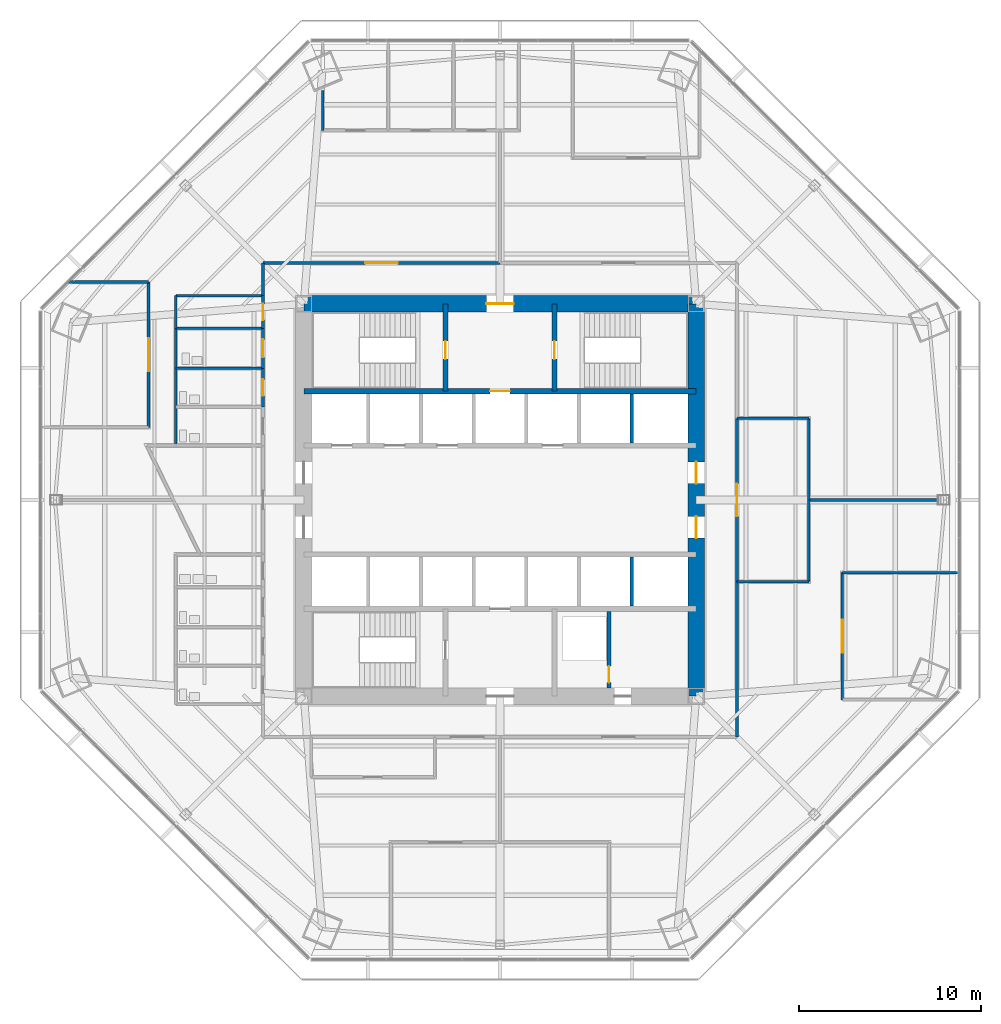
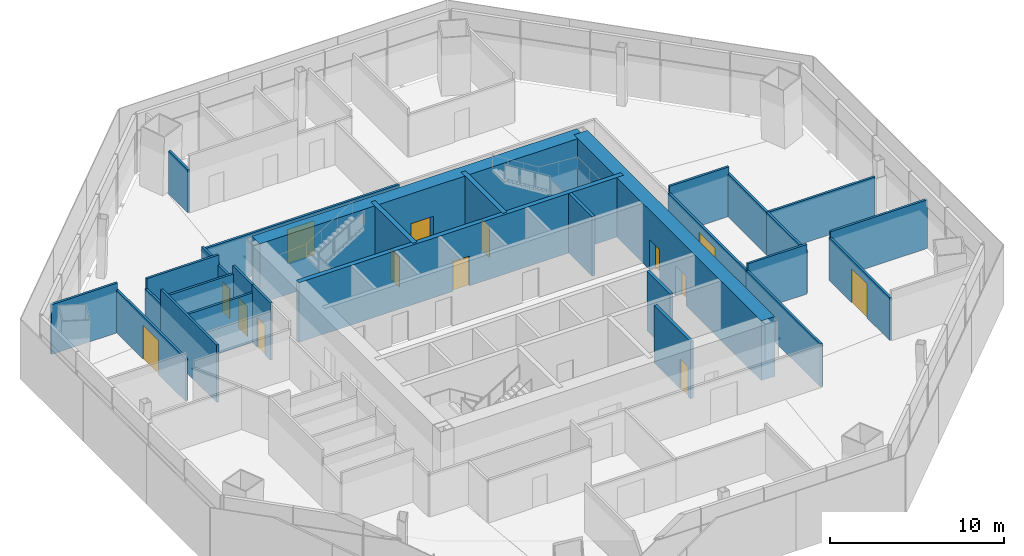
# One storey, part 11 of 16: 30 walls, 14 doors, 14 openings.
"""IFC4 building model written with IfcOpenShell, lengths in metres."""

from ifc_helpers import new_model, si_unit, direction, frame, frame_2d, origin, place, context, subcontext, project, spatial, rectangle, extrude, material, layer, layer_set, type_object, element, fill, save


model = new_model("IFC4")

# Units and contexts
model_context = context("Model", 3, precision=1e-05, world=origin(), true_north=direction((0.0, 1.0)))
body_context = subcontext(model_context, "Body", "Model", "MODEL_VIEW")
ifc_project = project(units=[si_unit("LENGTHUNIT", "METRE"), si_unit("AREAUNIT", "SQUARE_METRE"), si_unit("VOLUMEUNIT", "CUBIC_METRE"), si_unit("PLANEANGLEUNIT", "RADIAN"), si_unit("MASSUNIT", "GRAM", prefix="KILO")], contexts=[model_context])

# Site, building, storey
site_placement = place(None, origin())
site = spatial("IfcSite", under=ifc_project, at=site_placement, CompositionType="ELEMENT")
building_placement = place(site_placement, origin())
building = spatial("IfcBuilding", under=site, at=building_placement, Name="Mashrafa Tower", CompositionType="ELEMENT")
storey_placement = place(building_placement, frame((0.0, 0.0, 96.0)))
storey = spatial("IfcBuildingStorey", under=building, at=storey_placement, Name="L21", CompositionType="ELEMENT", Elevation=96.0)

# Wall, opening, door
ifc_material_1 = material(Name="Concrete masonry unit", Category="masonry")
ifc_layer_1 = layer(ifc_material_1, 0.199951171875)
ifc_layer_set_1 = layer_set([ifc_layer_1], Name="Blockwork wall 200 2 hr")
wall_type_1 = type_object("IfcWallType", Name="Blockwork wall 200 2 hr", PredefinedType="PARTITIONING", material=ifc_layer_set_1)
wall_1_placement = place(storey_placement, frame((6.0, -10.35009765625, 0.0), z_axis=(0.0, 0.0, 1.0), x_axis=(0.0, 1.0, 0.0)))
wall_1 = element("IfcWall", 1, at=wall_1_placement, inside=storey, type_object=wall_type_1, Name="Riser enclosure wall L21", PredefinedType="PARTITIONING", context=body_context, shape_type="SweptSolid", body=[
    extrude(rectangle(XDim=4.2001953125, YDim=0.199951171875, at=frame_2d((2.10009765625, 0.0))), origin(), (0.0, 0.0, 1.0), 4.034912109375),
])
opening_1_placement = place(wall_1_placement, frame((0.300048828125, 0.0, 0.0)))
opening_1 = element("IfcOpeningElement", 2, at=opening_1_placement, cuts=wall_1, Name="Opening 21.033", PredefinedType="OPENING", context=body_context, shape_type="SweptSolid", body=[
    extrude(rectangle(XDim=0.89990234375, YDim=2.10009765625, at=frame_2d((0.449951171875, 1.050048828125))), frame((0.0, 0.10986328125, 0.0), z_axis=(0.0, -1.0, 0.0), x_axis=(1.0, 0.0, 0.0)), (0.0, 0.0, 1.0), 0.219970703125),
])
ifc_material_2 = material(Name="Steel door", Category="steel")
door_type_1 = type_object("IfcDoorType", Name="Service door 900 x 2100 90 min", OperationType="USERDEFINED", PredefinedType="DOOR", material=ifc_material_2)
door_1_placement = place(opening_1_placement, origin())
door_1 = element("IfcDoor", 3, at=door_1_placement, inside=storey, type_object=door_type_1, Name="Riser door L21", OperationType="SINGLE_SWING_LEFT", OverallHeight=2.10009765625, OverallWidth=0.89990234375, PredefinedType="DOOR", context=body_context, shape_type="SweptSolid", body=[
    extrude(rectangle(XDim=0.89990234375, YDim=2.10009765625, at=frame_2d((0.449951171875, 1.050048828125))), frame((0.0, 0.02490234375, 0.0), z_axis=(0.0, -1.0, 0.0), x_axis=(1.0, 0.0, 0.0)), (0.0, 0.0, 1.0), 0.050048828125),
])
fill(opening_1, door_1)

ifc_material_3 = material(Name="Concrete C60/75", Category="concrete")
ifc_layer_2 = layer(ifc_material_3, 0.300048828125)
ifc_layer_set_2 = layer_set([ifc_layer_2], Name="Core wall 300 C60/75")
wall_type_2 = type_object("IfcWallType", Name="Core wall 300 C60/75", PredefinedType="SOLIDWALL", material=ifc_layer_set_2)
wall_2_placement = place(storey_placement, frame((-10.800048828125, 6.0, 0.0), z_axis=(0.0, 0.0, 1.0), x_axis=(1.0, 0.0, 0.0)))
wall_2 = element("IfcWall", 4, at=wall_2_placement, inside=storey, type_object=wall_type_2, Name="Core wall CB-N L21", PredefinedType="SOLIDWALL", context=body_context, shape_type="SweptSolid", body=[
    extrude(rectangle(XDim=21.60009765625, YDim=0.300048828125, at=frame_2d((10.800048828125, 0.0))), origin(), (0.0, 0.0, 1.0), 4.199951171875),
])
opening_2_placement = place(wall_2_placement, frame((10.25, 0.0, 0.0)))
opening_2 = element("IfcOpeningElement", 5, at=opening_2_placement, cuts=wall_2, Name="Opening 21.F1", PredefinedType="OPENING", context=body_context, shape_type="SweptSolid", body=[
    extrude(rectangle(XDim=1.10009765625, YDim=2.10009765625, at=frame_2d((0.550048828125, 1.050048828125))), frame((0.0, 0.159912109375, 0.0), z_axis=(0.0, -1.0, 0.0), x_axis=(1.0, 0.0, 0.0)), (0.0, 0.0, 1.0), 0.320068359375),
])
ifc_material_4 = material(Name="Steel door", Category="steel")
door_type_2 = type_object("IfcDoorType", Name="Lift landing door 1100 x 2100 90 min", OperationType="DOUBLE_DOOR_SLIDING", PredefinedType="DOOR", material=ifc_material_4)
door_2_placement = place(opening_2_placement, origin())
door_2 = element("IfcDoor", 6, at=door_2_placement, inside=storey, type_object=door_type_2, Name="Lift landing door F1 L21", OperationType="DOUBLE_DOOR_SLIDING", OverallHeight=2.10009765625, OverallWidth=1.10009765625, PredefinedType="DOOR", context=body_context, shape_type="SweptSolid", body=[
    extrude(rectangle(XDim=1.10009765625, YDim=2.10009765625, at=frame_2d((0.550048828125, 1.050048828125))), frame((0.0, 0.02490234375, 0.0), z_axis=(0.0, -1.0, 0.0), x_axis=(1.0, 0.0, 0.0)), (0.0, 0.0, 1.0), 0.050048828125),
])
fill(opening_2, door_2)

wall_3_placement = place(storey_placement, frame((-3.0, 6.0, 0.0), z_axis=(0.0, 0.0, 1.0), x_axis=(0.0, 1.0, 0.0)))
wall_3 = element("IfcWall", 7, at=wall_3_placement, inside=storey, type_object=wall_type_2, Name="Core wall CX-NW L21", PredefinedType="SOLIDWALL", context=body_context, shape_type="SweptSolid", body=[
    extrude(rectangle(XDim=4.800048828125, YDim=0.300048828125, at=frame_2d((2.39990234375, 0.0))), origin(), (0.0, 0.0, 1.0), 4.199951171875),
])
opening_3_placement = place(wall_3_placement, frame((1.75, 0.0, 0.0)))
opening_3 = element("IfcOpeningElement", 8, at=opening_3_placement, cuts=wall_3, Name="Opening 21.029", PredefinedType="OPENING", context=body_context, shape_type="SweptSolid", body=[
    extrude(rectangle(XDim=1.0, YDim=2.10009765625, at=frame_2d((0.5, 1.050048828125))), frame((0.0, 0.159912109375, 0.0), z_axis=(0.0, -1.0, 0.0), x_axis=(1.0, 0.0, 0.0)), (0.0, 0.0, 1.0), 0.320068359375),
])
ifc_material_5 = material(Name="Steel door", Category="steel")
door_type_3 = type_object("IfcDoorType", Name="Stair door 1000 x 2100 90 min", OperationType="USERDEFINED", PredefinedType="DOOR", material=ifc_material_5)
door_3_placement = place(opening_3_placement, origin())
door_3 = element("IfcDoor", 9, at=door_3_placement, inside=storey, type_object=door_type_3, Name="Stair S1 door L21", OperationType="SINGLE_SWING_LEFT", OverallHeight=2.10009765625, OverallWidth=1.0, PredefinedType="DOOR", context=body_context, shape_type="SweptSolid", body=[
    extrude(rectangle(XDim=1.0, YDim=2.10009765625, at=frame_2d((0.5, 1.050048828125))), frame((0.0, 0.02490234375, 0.0), z_axis=(0.0, -1.0, 0.0), x_axis=(1.0, 0.0, 0.0)), (0.0, 0.0, 1.0), 0.050048828125),
])
fill(opening_3, door_3)

wall_4_placement = place(storey_placement, frame((3.0, 6.0, 0.0), z_axis=(0.0, 0.0, 1.0), x_axis=(0.0, 1.0, 0.0)))
wall_4 = element("IfcWall", 10, at=wall_4_placement, inside=storey, type_object=wall_type_2, Name="Core wall CX-NE L21", PredefinedType="SOLIDWALL", context=body_context, shape_type="SweptSolid", body=[
    extrude(rectangle(XDim=4.800048828125, YDim=0.300048828125, at=frame_2d((2.39990234375, 0.0))), origin(), (0.0, 0.0, 1.0), 4.199951171875),
])
opening_4_placement = place(wall_4_placement, frame((1.75, 0.0, 0.0)))
opening_4 = element("IfcOpeningElement", 11, at=opening_4_placement, cuts=wall_4, Name="Opening 21.030", PredefinedType="OPENING", context=body_context, shape_type="SweptSolid", body=[
    extrude(rectangle(XDim=1.0, YDim=2.10009765625, at=frame_2d((0.5, 1.050048828125))), frame((0.0, 0.159912109375, 0.0), z_axis=(0.0, -1.0, 0.0), x_axis=(1.0, 0.0, 0.0)), (0.0, 0.0, 1.0), 0.320068359375),
])
door_4_placement = place(opening_4_placement, frame((1.0, 0.0, 0.0), z_axis=(0.0, 0.0, 1.0), x_axis=(-1.0, 0.0, 0.0)))
door_4 = element("IfcDoor", 12, at=door_4_placement, inside=storey, type_object=door_type_3, Name="Stair S2 door L21", OperationType="SINGLE_SWING_RIGHT", OverallHeight=2.10009765625, OverallWidth=1.0, PredefinedType="DOOR", context=body_context, shape_type="SweptSolid", body=[
    extrude(rectangle(XDim=1.0, YDim=2.10009765625, at=frame_2d((0.5, 1.050048828125))), frame((0.0, 0.02490234375, 0.0), z_axis=(0.0, -1.0, 0.0), x_axis=(1.0, 0.0, 0.0)), (0.0, 0.0, 1.0), 0.050048828125),
])
fill(opening_4, door_4)

# Wall, openings, doors
ifc_material_6 = material(Name="Concrete C60/75", Category="concrete")
ifc_layer_3 = layer(ifc_material_6, 0.89990234375)
ifc_layer_set_3 = layer_set([ifc_layer_3], Name="Core wall 900 C60/75")
wall_type_3 = type_object("IfcWallType", Name="Core wall 900 C60/75", PredefinedType="SOLIDWALL", material=ifc_layer_set_3)
wall_5_placement = place(storey_placement, frame((10.800048828125, -10.800048828125, 0.0), z_axis=(0.0, 0.0, 1.0), x_axis=(0.0, 1.0, 0.0)))
wall_5 = element("IfcWall", 13, at=wall_5_placement, inside=storey, type_object=wall_type_3, Name="Core wall CW-E L21", PredefinedType="SOLIDWALL", context=body_context, shape_type="SweptSolid", body=[
    extrude(rectangle(XDim=21.60009765625, YDim=0.89990234375, at=frame_2d((10.800048828125, 0.0))), origin(), (0.0, 0.0, 1.0), 4.199951171875),
])
opening_5_placement = place(wall_5_placement, frame((11.699951171875, 0.0, 0.0)))
opening_5 = element("IfcOpeningElement", 14, at=opening_5_placement, cuts=wall_5, Name="Opening 21.023", PredefinedType="OPENING", context=body_context, shape_type="SweptSolid", body=[
    extrude(rectangle(XDim=1.199951171875, YDim=2.10009765625, at=frame_2d((0.60009765625, 1.050048828125))), frame((0.0, 0.4599609375, 0.0), z_axis=(0.0, -1.0, 0.0), x_axis=(1.0, 0.0, 0.0)), (0.0, 0.0, 1.0), 0.919921875),
])
opening_6_placement = place(wall_5_placement, frame((8.699951171875, 0.0, 0.0)))
opening_6 = element("IfcOpeningElement", 15, at=opening_6_placement, cuts=wall_5, Name="Opening 21.025", PredefinedType="OPENING", context=body_context, shape_type="SweptSolid", body=[
    extrude(rectangle(XDim=1.199951171875, YDim=2.10009765625, at=frame_2d((0.60009765625, 1.050048828125))), frame((0.0, 0.4599609375, 0.0), z_axis=(0.0, -1.0, 0.0), x_axis=(1.0, 0.0, 0.0)), (0.0, 0.0, 1.0), 0.919921875),
])
ifc_material_7 = material(Name="Steel door", Category="steel")
door_type_4 = type_object("IfcDoorType", Name="Lift hall door 1200 x 2100 90 min", OperationType="USERDEFINED", PredefinedType="DOOR", material=ifc_material_7)
door_5_placement = place(opening_5_placement, frame((1.199951171875, 0.0, 0.0), z_axis=(0.0, 0.0, 1.0), x_axis=(-1.0, 0.0, 0.0)))
door_5 = element("IfcDoor", 16, at=door_5_placement, inside=storey, type_object=door_type_4, Name="Lift hall door east L21", OperationType="SINGLE_SWING_LEFT", OverallHeight=2.10009765625, OverallWidth=1.199951171875, PredefinedType="DOOR", context=body_context, shape_type="SweptSolid", body=[
    extrude(rectangle(XDim=1.199951171875, YDim=2.10009765625, at=frame_2d((0.60009765625, 1.050048828125))), frame((0.0, 0.02490234375, 0.0), z_axis=(0.0, -1.0, 0.0), x_axis=(1.0, 0.0, 0.0)), (0.0, 0.0, 1.0), 0.050048828125),
])
fill(opening_5, door_5)
door_6_placement = place(opening_6_placement, frame((1.199951171875, 0.0, 0.0), z_axis=(0.0, 0.0, 1.0), x_axis=(-1.0, 0.0, 0.0)))
door_6 = element("IfcDoor", 17, at=door_6_placement, inside=storey, type_object=door_type_4, Name="Lift hall door east L21", OperationType="SINGLE_SWING_RIGHT", OverallHeight=2.10009765625, OverallWidth=1.199951171875, PredefinedType="DOOR", context=body_context, shape_type="SweptSolid", body=[
    extrude(rectangle(XDim=1.199951171875, YDim=2.10009765625, at=frame_2d((0.60009765625, 1.050048828125))), frame((0.0, 0.02490234375, 0.0), z_axis=(0.0, -1.0, 0.0), x_axis=(1.0, 0.0, 0.0)), (0.0, 0.0, 1.0), 0.050048828125),
])
fill(opening_6, door_6)

# Wall, opening, door
wall_6_placement = place(storey_placement, frame((10.800048828125, 10.800048828125, 0.0), z_axis=(0.0, 0.0, 1.0), x_axis=(-1.0, 0.0, 0.0)))
wall_6 = element("IfcWall", 18, at=wall_6_placement, inside=storey, type_object=wall_type_3, Name="Core wall CW-N L21", PredefinedType="SOLIDWALL", context=body_context, shape_type="SweptSolid", body=[
    extrude(rectangle(XDim=21.60009765625, YDim=0.89990234375, at=frame_2d((10.800048828125, 0.0))), origin(), (0.0, 0.0, 1.0), 4.199951171875),
])
opening_7_placement = place(wall_6_placement, frame((10.050048828125, 0.0, 0.0)))
opening_7 = element("IfcOpeningElement", 19, at=opening_7_placement, cuts=wall_6, Name="Opening 21.027", PredefinedType="OPENING", context=body_context, shape_type="SweptSolid", body=[
    extrude(rectangle(XDim=1.5, YDim=2.10009765625, at=frame_2d((0.75, 1.050048828125))), frame((0.0, 0.4599609375, 0.0), z_axis=(0.0, -1.0, 0.0), x_axis=(1.0, 0.0, 0.0)), (0.0, 0.0, 1.0), 0.919921875),
])
ifc_material_8 = material(Name="Steel door", Category="steel")
door_type_5 = type_object("IfcDoorType", Name="Lobby door pair 1500 x 2100 90 min", OperationType="DOUBLE_DOOR_SINGLE_SWING", PredefinedType="DOOR", material=ifc_material_8)
door_7_placement = place(opening_7_placement, origin())
door_7 = element("IfcDoor", 20, at=door_7_placement, inside=storey, type_object=door_type_5, Name="Fire-fighting lobby F1 door L21", OperationType="DOUBLE_DOOR_SINGLE_SWING", OverallHeight=2.10009765625, OverallWidth=1.5, PredefinedType="DOOR", context=body_context, shape_type="SweptSolid", body=[
    extrude(rectangle(XDim=1.5, YDim=2.10009765625, at=frame_2d((0.75, 1.050048828125))), frame((0.0, 0.02490234375, 0.0), z_axis=(0.0, -1.0, 0.0), x_axis=(1.0, 0.0, 0.0)), (0.0, 0.0, 1.0), 0.050048828125),
])
fill(opening_7, door_7)

ifc_material_9 = material(Name="Gypsum board on steel studs", Category="steel")
ifc_layer_4 = layer(ifc_material_9, 0.14990234375)
ifc_layer_set_4 = layer_set([ifc_layer_4], Name="Corridor partition 150 1 hr")
wall_type_4 = type_object("IfcWallType", Name="Corridor partition 150 1 hr", PredefinedType="PARTITIONING", material=ifc_layer_set_4)
wall_7_placement = place(storey_placement, frame((-13.050048828125, 7.2509765625, 0.0), z_axis=(0.0, 0.0, 1.0), x_axis=(0.0, -1.0, 0.0)))
wall_7 = element("IfcWall", 21, at=wall_7_placement, inside=storey, type_object=wall_type_4, Name="Corridor wall L21-002", PredefinedType="PARTITIONING", context=body_context, shape_type="SweptSolid", body=[
    extrude(rectangle(XDim=2.126953125, YDim=0.14990234375, at=frame_2d((1.0634765625, 0.0))), origin(), (0.0, 0.0, 1.0), 4.034912109375),
])
opening_8_placement = place(wall_7_placement, frame((0.613525390625, 0.0, 0.0)))
opening_8 = element("IfcOpeningElement", 22, at=opening_8_placement, cuts=wall_7, Name="Opening 21.002", PredefinedType="OPENING", context=body_context, shape_type="SweptSolid", body=[
    extrude(rectangle(XDim=0.89990234375, YDim=2.10009765625, at=frame_2d((0.449951171875, 1.050048828125))), frame((0.0, 0.0849609375, 0.0), z_axis=(0.0, -1.0, 0.0), x_axis=(1.0, 0.0, 0.0)), (0.0, 0.0, 1.0), 0.169921875),
])
ifc_material_10 = material(Name="Timber door", Category="wood")
door_type_6 = type_object("IfcDoorType", Name="Toilet door 900 x 2100", OperationType="USERDEFINED", PredefinedType="DOOR", material=ifc_material_10)
door_8_placement = place(opening_8_placement, frame((0.89990234375, 0.0, 0.0), z_axis=(0.0, 0.0, 1.0), x_axis=(-1.0, 0.0, 0.0)))
door_8 = element("IfcDoor", 23, at=door_8_placement, inside=storey, type_object=door_type_6, Name="WC Male L21 N door", OperationType="SINGLE_SWING_LEFT", OverallHeight=2.10009765625, OverallWidth=0.89990234375, PredefinedType="DOOR", context=body_context, shape_type="SweptSolid", body=[
    extrude(rectangle(XDim=0.89990234375, YDim=2.10009765625, at=frame_2d((0.449951171875, 1.050048828125))), frame((0.0, 0.02490234375, 0.0), z_axis=(0.0, -1.0, 0.0), x_axis=(1.0, 0.0, 0.0)), (0.0, 0.0, 1.0), 0.050048828125),
])
fill(opening_8, door_8)

wall_8_placement = place(storey_placement, frame((-13.050048828125, 9.450927734375, 0.0), z_axis=(0.0, 0.0, 1.0), x_axis=(0.0, -1.0, 0.0)))
wall_8 = element("IfcWall", 24, at=wall_8_placement, inside=storey, type_object=wall_type_4, Name="Corridor wall L21-003", PredefinedType="PARTITIONING", context=body_context, shape_type="SweptSolid", body=[
    extrude(rectangle(XDim=2.201904296875, YDim=0.14990234375, at=frame_2d((1.10107421875, 0.0))), origin(), (0.0, 0.0, 1.0), 4.034912109375),
])
opening_9_placement = place(wall_8_placement, frame((0.60107421875, 0.0, 0.0)))
opening_9 = element("IfcOpeningElement", 25, at=opening_9_placement, cuts=wall_8, Name="Opening 21.003", PredefinedType="OPENING", context=body_context, shape_type="SweptSolid", body=[
    extrude(rectangle(XDim=1.0, YDim=2.10009765625, at=frame_2d((0.5, 1.050048828125))), frame((0.0, 0.0849609375, 0.0), z_axis=(0.0, -1.0, 0.0), x_axis=(1.0, 0.0, 0.0)), (0.0, 0.0, 1.0), 0.169921875),
])
ifc_material_11 = material(Name="Timber door", Category="wood")
door_type_7 = type_object("IfcDoorType", Name="Accessible toilet door 1000 x 2100", OperationType="USERDEFINED", PredefinedType="DOOR", material=ifc_material_11)
door_9_placement = place(opening_9_placement, frame((1.0, 0.0, 0.0), z_axis=(0.0, 0.0, 1.0), x_axis=(-1.0, 0.0, 0.0)))
door_9 = element("IfcDoor", 26, at=door_9_placement, inside=storey, type_object=door_type_7, Name="Accessible WC L21 N door", OperationType="SINGLE_SWING_RIGHT", OverallHeight=2.10009765625, OverallWidth=1.0, PredefinedType="DOOR", context=body_context, shape_type="SweptSolid", body=[
    extrude(rectangle(XDim=1.0, YDim=2.10009765625, at=frame_2d((0.5, 1.050048828125))), frame((0.0, 0.02490234375, 0.0), z_axis=(0.0, -1.0, 0.0), x_axis=(1.0, 0.0, 0.0)), (0.0, 0.0, 1.0), 0.050048828125),
])
fill(opening_9, door_9)

wall_9_placement = place(storey_placement, frame((-13.050048828125, 11.2509765625, 0.0), z_axis=(0.0, 0.0, 1.0), x_axis=(0.0, -1.0, 0.0)))
wall_9 = element("IfcWall", 27, at=wall_9_placement, inside=storey, type_object=wall_type_4, Name="Corridor wall L21-004", PredefinedType="PARTITIONING", context=body_context, shape_type="SweptSolid", body=[
    extrude(rectangle(XDim=1.802001953125, YDim=0.14990234375, at=frame_2d((0.90087890625, 0.0))), origin(), (0.0, 0.0, 1.0), 3.01416015625),
])
opening_10_placement = place(wall_9_placement, frame((0.450927734375, 0.0, 0.0)))
opening_10 = element("IfcOpeningElement", 28, at=opening_10_placement, cuts=wall_9, Name="Opening 21.004", PredefinedType="OPENING", context=body_context, shape_type="SweptSolid", body=[
    extrude(rectangle(XDim=0.89990234375, YDim=2.10009765625, at=frame_2d((0.449951171875, 1.050048828125))), frame((0.0, 0.0849609375, 0.0), z_axis=(0.0, -1.0, 0.0), x_axis=(1.0, 0.0, 0.0)), (0.0, 0.0, 1.0), 0.169921875),
])
ifc_material_12 = material(Name="Timber door", Category="wood")
door_type_8 = type_object("IfcDoorType", Name="Store door 900 x 2100", OperationType="USERDEFINED", PredefinedType="DOOR", material=ifc_material_12)
door_10_placement = place(opening_10_placement, frame((0.89990234375, 0.0, 0.0), z_axis=(0.0, 0.0, 1.0), x_axis=(-1.0, 0.0, 0.0)))
door_10 = element("IfcDoor", 29, at=door_10_placement, inside=storey, type_object=door_type_8, Name="Cleaner's Store L21 N door", OperationType="SINGLE_SWING_LEFT", OverallHeight=2.10009765625, OverallWidth=0.89990234375, PredefinedType="DOOR", context=body_context, shape_type="SweptSolid", body=[
    extrude(rectangle(XDim=0.89990234375, YDim=2.10009765625, at=frame_2d((0.449951171875, 1.050048828125))), frame((0.0, 0.02490234375, 0.0), z_axis=(0.0, -1.0, 0.0), x_axis=(1.0, 0.0, 0.0)), (0.0, 0.0, 1.0), 0.050048828125),
])
fill(opening_10, door_10)

wall_10_placement = place(storey_placement, frame((13.050048828125, -4.5009765625, 0.0), z_axis=(0.0, 0.0, 1.0), x_axis=(0.0, 1.0, 0.0)))
wall_10 = element("IfcWall", 30, at=wall_10_placement, inside=storey, type_object=wall_type_4, Name="Corridor wall L21-010", PredefinedType="PARTITIONING", context=body_context, shape_type="SweptSolid", body=[
    extrude(rectangle(XDim=9.001953125, YDim=0.14990234375, at=frame_2d((4.5009765625, 0.0))), origin(), (0.0, 0.0, 1.0), 3.01416015625),
])
opening_11_placement = place(wall_10_placement, frame((3.60107421875, 0.0, 0.0)))
opening_11 = element("IfcOpeningElement", 31, at=opening_11_placement, cuts=wall_10, Name="Opening 21.010", PredefinedType="OPENING", context=body_context, shape_type="SweptSolid", body=[
    extrude(rectangle(XDim=1.800048828125, YDim=2.39990234375, at=frame_2d((0.89990234375, 1.199951171875))), frame((0.0, 0.0849609375, 0.0), z_axis=(0.0, -1.0, 0.0), x_axis=(1.0, 0.0, 0.0)), (0.0, 0.0, 1.0), 0.169921875),
])
ifc_material_13 = material(Name="Steel door", Category="steel")
door_type_9 = type_object("IfcDoorType", Name="Door pair 1800 x 2400 90 min", OperationType="DOUBLE_DOOR_SINGLE_SWING", PredefinedType="DOOR", material=ifc_material_13)
door_11_placement = place(opening_11_placement, origin())
door_11 = element("IfcDoor", 32, at=door_11_placement, inside=storey, type_object=door_type_9, Name="Executive Reception 21 door", OperationType="DOUBLE_DOOR_SINGLE_SWING", OverallHeight=2.39990234375, OverallWidth=1.800048828125, PredefinedType="DOOR", context=body_context, shape_type="SweptSolid", body=[
    extrude(rectangle(XDim=1.800048828125, YDim=2.39990234375, at=frame_2d((0.89990234375, 1.199951171875))), frame((0.0, 0.02490234375, 0.0), z_axis=(0.0, -1.0, 0.0), x_axis=(1.0, 0.0, 0.0)), (0.0, 0.0, 1.0), 0.050048828125),
])
fill(opening_11, door_11)

wall_11_placement = place(storey_placement, frame((0.0009765625, 13.050048828125, 0.0), z_axis=(0.0, 0.0, 1.0), x_axis=(-1.0, 0.0, 0.0)))
wall_11 = element("IfcWall", 33, at=wall_11_placement, inside=storey, type_object=wall_type_4, Name="Corridor wall L21-014", PredefinedType="PARTITIONING", context=body_context, shape_type="SweptSolid", body=[
    extrude(rectangle(XDim=13.051025390625, YDim=0.14990234375, at=frame_2d((6.525390625, 0.0))), origin(), (0.0, 0.0, 1.0), 3.01416015625),
])
opening_12_placement = place(wall_11_placement, frame((5.62548828125, 0.0, 0.0)))
opening_12 = element("IfcOpeningElement", 34, at=opening_12_placement, cuts=wall_11, Name="Opening 21.020", PredefinedType="OPENING", context=body_context, shape_type="SweptSolid", body=[
    extrude(rectangle(XDim=1.800048828125, YDim=2.39990234375, at=frame_2d((0.89990234375, 1.199951171875))), frame((0.0, 0.0849609375, 0.0), z_axis=(0.0, -1.0, 0.0), x_axis=(1.0, 0.0, 0.0)), (0.0, 0.0, 1.0), 0.169921875),
])
ifc_material_14 = material(Name="Timber door", Category="wood")
door_type_10 = type_object("IfcDoorType", Name="Door pair 1800 x 2400", OperationType="DOUBLE_DOOR_SINGLE_SWING", PredefinedType="DOOR", material=ifc_material_14)
door_12_placement = place(opening_12_placement, frame((1.800048828125, 0.0, 0.0), z_axis=(0.0, 0.0, 1.0), x_axis=(-1.0, 0.0, 0.0)))
door_12 = element("IfcDoor", 35, at=door_12_placement, inside=storey, type_object=door_type_10, Name="Strategy and Planning Office 21-NW door", OperationType="DOUBLE_DOOR_SINGLE_SWING", OverallHeight=2.39990234375, OverallWidth=1.800048828125, PredefinedType="DOOR", context=body_context, shape_type="SweptSolid", body=[
    extrude(rectangle(XDim=1.800048828125, YDim=2.39990234375, at=frame_2d((0.89990234375, 1.199951171875))), frame((0.0, 0.02490234375, 0.0), z_axis=(0.0, -1.0, 0.0), x_axis=(1.0, 0.0, 0.0)), (0.0, 0.0, 1.0), 0.050048828125),
])
fill(opening_12, door_12)

# Walls
wall_12_placement = place(storey_placement, frame((-13.050048828125, 13.050048828125, 0.0), z_axis=(0.0, 0.0, 1.0), x_axis=(0.0, -1.0, 0.0)))
element("IfcWall", 36, at=wall_12_placement, inside=storey, type_object=wall_type_4, Name="Corridor wall L21-015", PredefinedType="PARTITIONING", context=body_context, shape_type="SweptSolid", body=[
    extrude(rectangle(XDim=1.801025390625, YDim=0.14990234375, at=frame_2d((0.900390625, 0.0))), origin(), (0.0, 0.0, 1.0), 3.17919921875),
])
wall_13_placement = place(storey_placement, frame((13.050048828125, -13.050048828125, 0.0), z_axis=(0.0, 0.0, 1.0), x_axis=(0.0, 1.0, 0.0)))
element("IfcWall", 37, at=wall_13_placement, inside=storey, type_object=wall_type_4, Name="Corridor wall L21-020", PredefinedType="PARTITIONING", context=body_context, shape_type="SweptSolid", body=[
    extrude(rectangle(XDim=8.551025390625, YDim=0.14990234375, at=frame_2d((4.275390625, 0.0))), origin(), (0.0, 0.0, 1.0), 3.01416015625),
])
wall_14_placement = place(storey_placement, frame((17.0, -0.0009765625, 0.0), z_axis=(0.0, 0.0, 1.0), x_axis=(0.0, 1.0, 0.0)))
element("IfcWall", 38, at=wall_14_placement, inside=storey, type_object=wall_type_4, Name="Corridor wall L21-043", PredefinedType="PARTITIONING", context=body_context, shape_type="SweptSolid", body=[
    extrude(rectangle(XDim=4.5009765625, YDim=0.14990234375, at=frame_2d((2.25048828125, 0.0))), origin(), (0.0, 0.0, 1.0), 3.01416015625),
])
for number, where, z_axis, x_axis, name in (
    (39, (17.0, 4.5, 0.0), (0.0, 0.0, 1.0), (-1.0, 0.0, 0.0), "Corridor wall L21-044"),
    (40, (13.050048828125, -4.5, 0.0), (0.0, 0.0, 1.0), (1.0, 0.0, 0.0), "Corridor wall L21-045"),
):
    element("IfcWall", number, at=place(storey_placement, frame(where, z_axis=z_axis, x_axis=x_axis)), inside=storey, type_object=wall_type_4, Name=name, PredefinedType="PARTITIONING", context=body_context, shape_type="SweptSolid", body=[
        extrude(rectangle(XDim=3.949951171875, YDim=0.14990234375, at=frame_2d((1.97509765625, 0.0))), origin(), (0.0, 0.0, 1.0), 3.49169921875),
    ])
wall_15_placement = place(storey_placement, frame((17.0, -4.5, 0.0), z_axis=(0.0, 0.0, 1.0), x_axis=(0.0, 1.0, 0.0)))
element("IfcWall", 41, at=wall_15_placement, inside=storey, type_object=wall_type_4, Name="Corridor wall L21-046", PredefinedType="PARTITIONING", context=body_context, shape_type="SweptSolid", body=[
    extrude(rectangle(XDim=4.5009765625, YDim=0.14990234375, at=frame_2d((2.25048828125, 0.0))), origin(), (0.0, 0.0, 1.0), 3.01416015625),
])
ifc_material_15 = material(Name="Gypsum board on steel studs", Category="steel")
ifc_layer_5 = layer(ifc_material_15, 0.14990234375)
ifc_layer_set_5 = layer_set([ifc_layer_5], Name="Partition 150")
wall_type_5 = type_object("IfcWallType", Name="Partition 150", PredefinedType="PARTITIONING", material=ifc_layer_set_5)
wall_16_placement = place(storey_placement, frame((-17.85009765625, 3.0, 0.0), z_axis=(0.0, 0.0, 1.0), x_axis=(0.0, 1.0, 0.0)))
element("IfcWall", 42, at=wall_16_placement, inside=storey, type_object=wall_type_5, Name="Partition wall L21-023", PredefinedType="PARTITIONING", context=body_context, shape_type="SweptSolid", body=[
    extrude(rectangle(XDim=6.449951171875, YDim=0.14990234375, at=frame_2d((3.22509765625, 0.0))), origin(), (0.0, 0.0, 1.0), 4.034912109375),
])
for number, where, z_axis, x_axis, name in (
    (43, (-13.050048828125, 7.25, 0.0), (0.0, 0.0, 1.0), (-1.0, 0.0, 0.0), "Partition wall L21-024"),
    (44, (-13.050048828125, 9.449951171875, 0.0), (0.0, 0.0, 1.0), (-1.0, 0.0, 0.0), "Partition wall L21-026"),
):
    element("IfcWall", number, at=place(storey_placement, frame(where, z_axis=z_axis, x_axis=x_axis)), inside=storey, type_object=wall_type_5, Name=name, PredefinedType="PARTITIONING", context=body_context, shape_type="SweptSolid", body=[
        extrude(rectangle(XDim=4.800048828125, YDim=0.14990234375, at=frame_2d((2.39990234375, 0.0))), origin(), (0.0, 0.0, 1.0), 3.49169921875),
    ])
wall_17_placement = place(storey_placement, frame((-13.050048828125, 11.25, 0.0), z_axis=(0.0, 0.0, 1.0), x_axis=(-1.0, 0.0, 0.0)))
element("IfcWall", 45, at=wall_17_placement, inside=storey, type_object=wall_type_5, Name="Partition wall L21-028", PredefinedType="PARTITIONING", context=body_context, shape_type="SweptSolid", body=[
    extrude(rectangle(XDim=4.800048828125, YDim=0.14990234375, at=frame_2d((2.39990234375, 0.0))), origin(), (0.0, 0.0, 1.0), 3.715087890625),
])
wall_18_placement = place(storey_placement, frame((-17.85009765625, 11.25, 0.0), z_axis=(0.0, 0.0, 1.0), x_axis=(0.0, -1.0, 0.0)))
element("IfcWall", 46, at=wall_18_placement, inside=storey, type_object=wall_type_5, Name="Partition wall L21-029", PredefinedType="PARTITIONING", context=body_context, shape_type="SweptSolid", body=[
    extrude(rectangle(XDim=1.800048828125, YDim=0.14990234375, at=frame_2d((0.89990234375, 0.0))), origin(), (0.0, 0.0, 1.0), 3.01416015625),
])
wall_19_placement = place(storey_placement, frame((25.281005859375, -4.0, 0.0), z_axis=(0.0, 0.0, 1.0), x_axis=(-1.0, 0.0, 0.0)))
element("IfcWall", 47, at=wall_19_placement, inside=storey, type_object=wall_type_5, Name="Partition wall L21-054", PredefinedType="PARTITIONING", context=body_context, shape_type="SweptSolid", body=[
    extrude(rectangle(XDim=6.431884765625, YDim=0.14990234375, at=frame_2d((3.2158203125, 0.0))), origin(), (0.0, 0.0, 1.0), 3.423095703125),
])

# Wall, opening, door
wall_20_placement = place(storey_placement, frame((18.84912109375, -4.0, 0.0), z_axis=(0.0, 0.0, 1.0), x_axis=(0.0, -1.0, 0.0)))
wall_20 = element("IfcWall", 48, at=wall_20_placement, inside=storey, type_object=wall_type_5, Name="Partition wall L21-055", PredefinedType="PARTITIONING", context=body_context, shape_type="SweptSolid", body=[
    extrude(rectangle(XDim=7.0, YDim=0.14990234375, at=frame_2d((3.5, 0.0))), origin(), (0.0, 0.0, 1.0), 3.01416015625),
])
opening_13_placement = place(wall_20_placement, frame((2.60009765625, 0.0, 0.0)))
opening_13 = element("IfcOpeningElement", 49, at=opening_13_placement, cuts=wall_20, Name="Opening 21.013", PredefinedType="OPENING", context=body_context, shape_type="SweptSolid", body=[
    extrude(rectangle(XDim=1.800048828125, YDim=2.39990234375, at=frame_2d((0.89990234375, 1.199951171875))), frame((0.0, 0.0849609375, 0.0), z_axis=(0.0, -1.0, 0.0), x_axis=(1.0, 0.0, 0.0)), (0.0, 0.0, 1.0), 0.169921875),
])
door_13_placement = place(opening_13_placement, origin())
door_13 = element("IfcDoor", 50, at=door_13_placement, inside=storey, type_object=door_type_10, Name="Guest Majlis 21 door", OperationType="DOUBLE_DOOR_SINGLE_SWING", OverallHeight=2.39990234375, OverallWidth=1.800048828125, PredefinedType="DOOR", context=body_context, shape_type="SweptSolid", body=[
    extrude(rectangle(XDim=1.800048828125, YDim=2.39990234375, at=frame_2d((0.89990234375, 1.199951171875))), frame((0.0, 0.02490234375, 0.0), z_axis=(0.0, -1.0, 0.0), x_axis=(1.0, 0.0, 0.0)), (0.0, 0.0, 1.0), 0.050048828125),
])
fill(opening_13, door_13)

wall_21_placement = place(storey_placement, frame((-19.34912109375, 4.0, 0.0), z_axis=(0.0, 0.0, 1.0), x_axis=(0.0, 1.0, 0.0)))
wall_21 = element("IfcWall", 51, at=wall_21_placement, inside=storey, type_object=wall_type_5, Name="Partition wall L21-058", PredefinedType="PARTITIONING", context=body_context, shape_type="SweptSolid", body=[
    extrude(rectangle(XDim=8.0, YDim=0.14990234375, at=frame_2d((4.0, 0.0))), origin(), (0.0, 0.0, 1.0), 3.01416015625),
])
opening_14_placement = place(wall_21_placement, frame((3.10009765625, 0.0, 0.0)))
opening_14 = element("IfcOpeningElement", 52, at=opening_14_placement, cuts=wall_21, Name="Opening 21.014", PredefinedType="OPENING", context=body_context, shape_type="SweptSolid", body=[
    extrude(rectangle(XDim=1.800048828125, YDim=2.39990234375, at=frame_2d((0.89990234375, 1.199951171875))), frame((0.0, 0.0849609375, 0.0), z_axis=(0.0, -1.0, 0.0), x_axis=(1.0, 0.0, 0.0)), (0.0, 0.0, 1.0), 0.169921875),
])
door_14_placement = place(opening_14_placement, origin())
door_14 = element("IfcDoor", 53, at=door_14_placement, inside=storey, type_object=door_type_10, Name="Executive Dining Room 21 door", OperationType="DOUBLE_DOOR_SINGLE_SWING", OverallHeight=2.39990234375, OverallWidth=1.800048828125, PredefinedType="DOOR", context=body_context, shape_type="SweptSolid", body=[
    extrude(rectangle(XDim=1.800048828125, YDim=2.39990234375, at=frame_2d((0.89990234375, 1.199951171875))), frame((0.0, 0.02490234375, 0.0), z_axis=(0.0, -1.0, 0.0), x_axis=(1.0, 0.0, 0.0)), (0.0, 0.0, 1.0), 0.050048828125),
])
fill(opening_14, door_14)

# Walls
wall_22_placement = place(storey_placement, frame((-19.34912109375, 12.0, 0.0), z_axis=(0.0, 0.0, 1.0), x_axis=(-1.0, 0.0, 0.0)))
element("IfcWall", 54, at=wall_22_placement, inside=storey, type_object=wall_type_5, Name="Partition wall L21-059", PredefinedType="PARTITIONING", context=body_context, shape_type="SweptSolid", body=[
    extrude(rectangle(XDim=4.4052734375, YDim=0.14990234375, at=frame_2d((2.20263671875, 0.0))), origin(), (0.0, 0.0, 1.0), 3.49658203125),
])
wall_23_placement = place(storey_placement, frame((-9.759033203125, 22.551025390625, 0.0), z_axis=(0.0, 0.0, 1.0), x_axis=(0.0, -1.0, 0.0)))
element("IfcWall", 55, at=wall_23_placement, inside=storey, type_object=wall_type_5, Name="Partition wall L21-070", PredefinedType="PARTITIONING", context=body_context, shape_type="SweptSolid", body=[
    extrude(rectangle(XDim=2.201904296875, YDim=0.14990234375, at=frame_2d((1.10107421875, 0.0))), origin(), (0.0, 0.0, 1.0), 3.01416015625),
])
wall_24_placement = place(storey_placement, frame((17.0, 0.0, 0.0), z_axis=(0.0, 0.0, 1.0), x_axis=(1.0, 0.0, 0.0)))
element("IfcWall", 56, at=wall_24_placement, inside=storey, type_object=wall_type_5, Name="Partition wall L21-073", PredefinedType="PARTITIONING", context=body_context, shape_type="SweptSolid", body=[
    extrude(rectangle(XDim=7.111083984375, YDim=0.14990234375, at=frame_2d((3.5556640625, 0.0))), origin(), (0.0, 0.0, 1.0), 3.01416015625),
])
ifc_material_16 = material(Name="Gypsum shaft wall on steel studs", Category="steel")
ifc_layer_6 = layer(ifc_material_16, 0.199951171875)
ifc_layer_set_6 = layer_set([ifc_layer_6], Name="Shaft divider wall 200 2 hr")
wall_type_6 = type_object("IfcWallType", Name="Shaft divider wall 200 2 hr", PredefinedType="PARTITIONING", material=ifc_layer_set_6)
for number, where, z_axis, x_axis, name in (
    (57, (7.25, 3.14990234375, 0.0), (0.0, 0.0, 1.0), (0.0, 1.0, 0.0), "Shaft divider wall N6 L21"),
    (58, (7.25, -5.85009765625, 0.0), (0.0, 0.0, 1.0), (0.0, 1.0, 0.0), "Shaft divider wall S6 L21"),
):
    element("IfcWall", number, at=place(storey_placement, frame(where, z_axis=z_axis, x_axis=x_axis)), inside=storey, type_object=wall_type_6, Name=name, PredefinedType="PARTITIONING", context=body_context, shape_type="SweptSolid", body=[
        extrude(rectangle(XDim=2.7001953125, YDim=0.199951171875, at=frame_2d((1.35009765625, 0.0))), origin(), (0.0, 0.0, 1.0), 4.199951171875),
    ])

save(model, "model.ifc")
